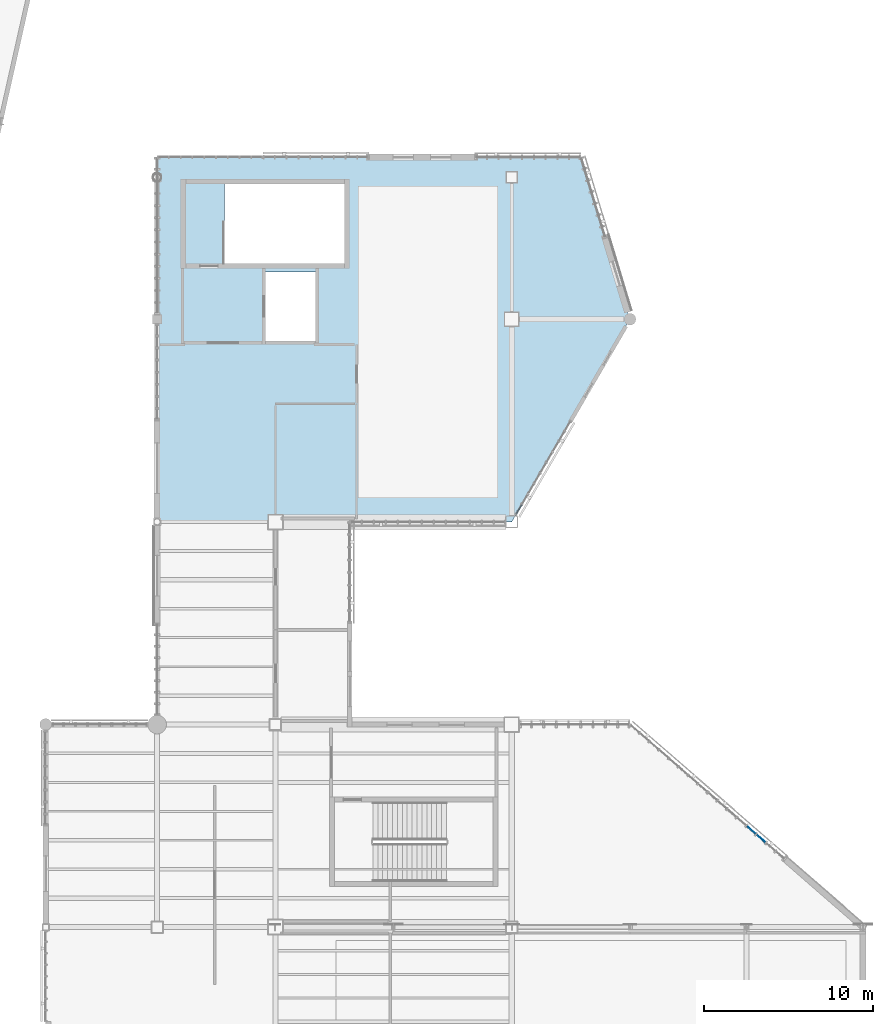
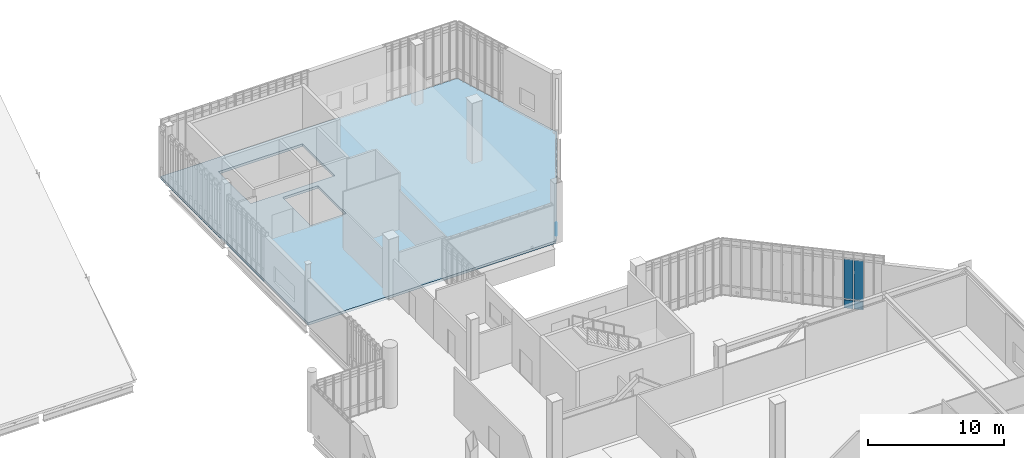
# One storey, part 88 of 135: 5 plates, 1 slab, 2 elements without a shape of their own.
"""IFC4 building model written with IfcOpenShell, lengths in metres."""

from ifc_helpers import new_model, si_unit, direction, frame, origin, origin_2d, place, context, subcontext, project, spatial, polyline, rectangle, outline, extrude, material, layer, layer_set, type_object, element, aggregate, save


model = new_model("IFC4")

# Units and contexts
model_context = context("Model", 3, precision=1e-05, world=origin(), true_north=direction((0.0, 1.0)))
body_context = subcontext(model_context, "Body", "Model", "MODEL_VIEW")
ifc_project = project(units=[si_unit("LENGTHUNIT", "METRE"), si_unit("AREAUNIT", "SQUARE_METRE"), si_unit("VOLUMEUNIT", "CUBIC_METRE"), si_unit("PLANEANGLEUNIT", "RADIAN"), si_unit("MASSUNIT", "GRAM", prefix="KILO")], contexts=[model_context])

# Site, building, storey
site_placement = place(None, origin())
site = spatial("IfcSite", under=ifc_project, at=site_placement, CompositionType="ELEMENT")
building_placement = place(site_placement, origin())
building = spatial("IfcBuilding", under=site, at=building_placement, Name="Larkvane Passage Sports Hall", CompositionType="ELEMENT")
storey_placement = place(building_placement, frame((0.0, 0.0, 16.800048828125)))
storey = spatial("IfcBuildingStorey", under=building, at=storey_placement, Name="L03", CompositionType="ELEMENT", Elevation=16.800048828125)

# Curtain wall, plate
ifc_material_1 = material(Name="Thermally broken aluminium and low-E glazing", Category="aluminium")
curtain_wall_type_1 = type_object("IfcCurtainWallType", Name="CW-UNIT-COURT", PredefinedType="USERDEFINED", material=ifc_material_1)
curtain_wall_1_placement = place(storey_placement, origin())
curtain_wall_1 = element("IfcCurtainWall", 1, at=curtain_wall_1_placement, inside=storey, type_object=curtain_wall_type_1, Name="Curtain wall CW5-L03-108", ObjectType="UNITISED CURTAIN WALL", PredefinedType="USERDEFINED")
ifc_material_2 = material(Name="Insulated aluminium spandrel panel", Category="aluminium")
ifc_layer_1 = layer(ifc_material_2, 0.06494140625)
ifc_layer_set_1 = layer_set([ifc_layer_1], Name="Insulated aluminium spandrel panel")
plate_type_1 = type_object("IfcPlateType", Name="CWP-SPD-65", PredefinedType="CURTAIN_PANEL", material=ifc_layer_set_1)
plate_1_placement = place(storey_placement, frame((146.02783203125, 64.33349609375, 0.06005859375), z_axis=(0.0, 0.0, 1.0), x_axis=(-0.503867182467, -0.86378114267, 0.0)))
plate_1 = element("IfcPlate", 2, at=plate_1_placement, type_object=plate_type_1, Name="CW-01 panel 9.1", PredefinedType="CURTAIN_PANEL", context=body_context, shape_type="SweptSolid", body=[
    extrude(rectangle(XDim=0.629150390625, YDim=0.06494140625, at=origin_2d()), origin(), (0.0, 0.0, 1.0), 0.760009765625),
])
aggregate(curtain_wall_1, [plate_1])

# Curtain wall, plates
curtain_wall_type_2 = type_object("IfcCurtainWallType", Name="CW-UNIT-VEIL", PredefinedType="USERDEFINED", material=ifc_material_1)
curtain_wall_2_placement = place(storey_placement, origin())
curtain_wall_2 = element("IfcCurtainWall", 3, at=curtain_wall_2_placement, inside=storey, type_object=curtain_wall_type_2, Name="Curtain wall CW5-L03-113", ObjectType="UNITISED CURTAIN WALL", PredefinedType="USERDEFINED")
ifc_material_3 = material(Name="Mineral-wool insulated spandrel cassette")
ifc_layer_2 = layer(ifc_material_3, 0.0849609375)
ifc_layer_set_2 = layer_set([ifc_layer_2], Name="Mineral-wool insulated spandrel cassette")
plate_type_2 = type_object("IfcPlateType", Name="CWP-SPD-85", PredefinedType="CURTAIN_PANEL", material=ifc_layer_set_2)
plate_2_placement = place(storey_placement, frame((159.78759765625, 45.35009765625, 0.07470703125), z_axis=(0.0, 0.0, 1.0), x_axis=(0.754605522159, -0.65617871493, 0.0)))
plate_2 = element("IfcPlate", 4, at=plate_2_placement, type_object=plate_type_2, Name="CW-02 panel 5.1", PredefinedType="CURTAIN_PANEL", context=body_context, shape_type="SweptSolid", body=[
    extrude(rectangle(XDim=0.68701171875, YDim=0.0849609375, at=origin_2d()), origin(), (0.0, 0.0, 1.0), 0.737548828125),
])
plate_3_placement = place(storey_placement, frame((160.362548828125, 44.85009765625, 0.07470703125), z_axis=(0.0, 0.0, 1.0), x_axis=(0.754605522159, -0.65617871493, 0.0)))
plate_3 = element("IfcPlate", 5, at=plate_3_placement, type_object=plate_type_2, Name="CW-02 panel 6.1", PredefinedType="CURTAIN_PANEL", context=body_context, shape_type="SweptSolid", body=[
    extrude(rectangle(XDim=0.68701171875, YDim=0.0849609375, at=origin_2d()), origin(), (0.0, 0.0, 1.0), 0.737548828125),
])
ifc_material_4 = material(Name="Laminated acoustic low-E glazing", Category="glass")
ifc_layer_3 = layer(ifc_material_4, 0.031982421875)
ifc_layer_set_3 = layer_set([ifc_layer_3], Name="Laminated acoustic low-E glazing")
plate_type_3 = type_object("IfcPlateType", Name="CWP-VIS-32", PredefinedType="CURTAIN_PANEL", material=ifc_layer_set_3)
plate_4_placement = place(storey_placement, frame((159.78759765625, 45.35009765625, 0.8876953125), z_axis=(0.0, 0.0, 1.0), x_axis=(0.754605522159, -0.65617871493, 0.0)))
plate_4 = element("IfcPlate", 6, at=plate_4_placement, type_object=plate_type_3, Name="CW-02 panel 5.2", PredefinedType="CURTAIN_PANEL", context=body_context, shape_type="SweptSolid", body=[
    extrude(rectangle(XDim=0.68701171875, YDim=0.031982421875, at=origin_2d()), origin(), (0.0, 0.0, 1.0), 3.554931640625),
])
plate_5_placement = place(storey_placement, frame((160.362548828125, 44.85009765625, 0.8876953125), z_axis=(0.0, 0.0, 1.0), x_axis=(0.754605522159, -0.65617871493, 0.0)))
plate_5 = element("IfcPlate", 7, at=plate_5_placement, type_object=plate_type_3, Name="CW-02 panel 6.2", PredefinedType="CURTAIN_PANEL", context=body_context, shape_type="SweptSolid", body=[
    extrude(rectangle(XDim=0.68701171875, YDim=0.031982421875, at=origin_2d()), origin(), (0.0, 0.0, 1.0), 3.554931640625),
])
aggregate(curtain_wall_2, [plate_2, plate_4, plate_3, plate_5])

# Slab
ifc_material_5 = material(Name="Concrete C40/50", Category="concrete")
ifc_layer_4 = layer(ifc_material_5, 0.22509765625)
ifc_layer_set_4 = layer_set([ifc_layer_4], Name="Concrete C40/50")
slab_type = type_object("IfcSlabType", Name="SLB-FLR-210", PredefinedType="FLOOR", material=ifc_layer_set_4)
slab_placement = place(storey_placement, frame((0.0, 0.0, -0.22509765625)))
element("IfcSlab", 8, at=slab_placement, inside=storey, type_object=slab_type, Name="Structural floor slab SLAB-L03-V4", PredefinedType="FLOOR", context=body_context, shape_type="SweptSolid", body=[
    extrude(outline(polyline([(124.60009765625, 63.60009765625), (145.60009765625, 63.60009765625), (152.60009765625, 75.60009765625), (149.699951171875, 85.199951171875), (124.60009765625, 85.199951171875), (124.60009765625, 63.60009765625)]), holes=[polyline([(128.58056640625, 83.60009765625), (135.699951171875, 83.60009765625), (135.699951171875, 78.89990234375), (128.58056640625, 78.89990234375), (128.58056640625, 83.60009765625)]), polyline([(131.0, 78.39990234375), (134.0, 78.39990234375), (134.0, 74.300048828125), (131.0, 74.300048828125), (131.0, 78.39990234375)])]), origin(), (0.0, 0.0, 1.0), 0.22509765625),
])

save(model, "model.ifc")
